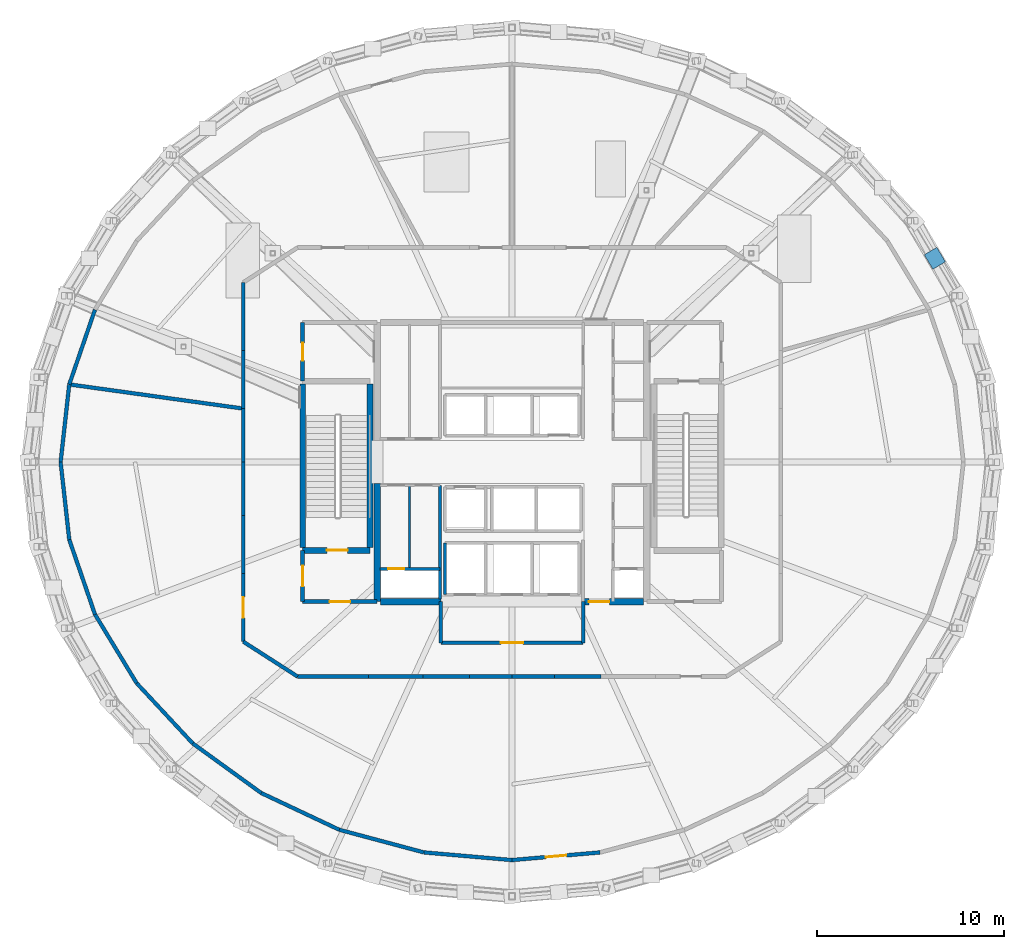
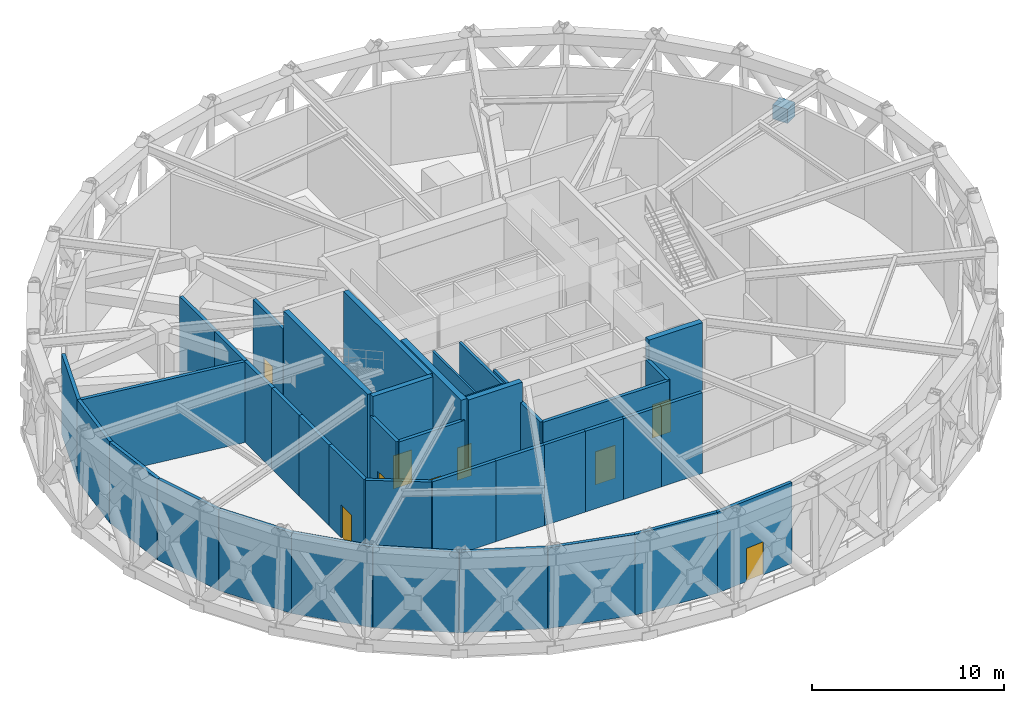
# One storey, part 8 of 15: 41 walls, 9 doors, 1 plate, 9 openings.
"""IFC4 building model written with IfcOpenShell, lengths in metres."""

from ifc_helpers import new_model, si_unit, direction, frame, frame_2d, origin, origin_2d, place, context, subcontext, project, spatial, rectangle, extrude, material, layer, layer_set, type_object, element, fill, save


model = new_model("IFC4")

# Units and contexts
model_context = context("Model", 3, precision=1e-05, world=origin(), true_north=direction((0.0, 1.0)))
body_context = subcontext(model_context, "Body", "Model", "MODEL_VIEW")
ifc_project = project(units=[si_unit("LENGTHUNIT", "METRE"), si_unit("AREAUNIT", "SQUARE_METRE"), si_unit("VOLUMEUNIT", "CUBIC_METRE"), si_unit("PLANEANGLEUNIT", "RADIAN"), si_unit("MASSUNIT", "GRAM", prefix="KILO")], contexts=[model_context])

# Site, building, storey
site_placement = place(None, origin())
site = spatial("IfcSite", under=ifc_project, at=site_placement, CompositionType="ELEMENT")
building_placement = place(site_placement, origin())
building = spatial("IfcBuilding", under=site, at=building_placement, Name="Veldorina Hangang Commons", CompositionType="ELEMENT")
storey_placement = place(building_placement, frame((0.0, 0.0, 208.39990234375)))
storey = spatial("IfcBuildingStorey", under=building, at=storey_placement, Name="L54", CompositionType="ELEMENT", Elevation=208.39990234375)

# Plate
ifc_material_1 = material(Name="Steel SM460-TMC", Category="steel")
ifc_layer_1 = layer(ifc_material_1, 0.035888671875)
ifc_layer_set_1 = layer_set([ifc_layer_1], Name="Steel SM460-TMC")
plate_type = type_object("IfcPlateType", Name="PL-STAR-36", PredefinedType="USERDEFINED", material=ifc_layer_set_1)
plate_placement = place(storey_placement, frame((54.577392578125, 34.879150390625, 2.7548828125), z_axis=(0.0, 0.0, 1.0), x_axis=(-0.511817972151, 0.859093920002, 0.0)))
element("IfcPlate", 1, at=plate_placement, inside=storey, type_object=plate_type, Name="L54 diagrid X-crossing star-node gusset plate 02", ObjectType="GUSSET PLATE", PredefinedType="USERDEFINED", context=body_context, shape_type="SweptSolid", body=[
    extrude(rectangle(XDim=0.89990234375, YDim=0.780029296875, at=origin_2d()), origin(), (0.0, 0.0, 1.0), 0.89990234375),
])

# Walls
ifc_material_2 = material(Name="Concrete C60/75", Category="concrete")
ifc_layer_2 = layer(ifc_material_2, 0.340087890625)
ifc_layer_set_2 = layer_set([ifc_layer_2], Name="Concrete C60/75")
wall_type_1 = type_object("IfcWallType", Name="CW-RC340-C60", PredefinedType="SHEAR", material=ifc_layer_set_2)
wall_1_placement = place(storey_placement, frame((24.800048828125, 16.550048828125, 0.0), z_axis=(0.0, 0.0, 1.0), x_axis=(0.0, 1.0, 0.0)))
element("IfcWall", 2, at=wall_1_placement, inside=storey, type_object=wall_type_1, Name="L54 W south core shear wall", PredefinedType="SHEAR", context=body_context, shape_type="SweptSolid", body=[
    extrude(rectangle(XDim=6.300048828125, YDim=0.340087890625, at=frame_2d((3.14990234375, 0.0))), origin(), (0.0, 0.0, 1.0), 6.400146484375),
])
wall_2_placement = place(storey_placement, frame((24.969970703125, 16.550048828125, 0.0), z_axis=(0.0, 0.0, 1.0), x_axis=(1.0, 0.0, 0.0)))
element("IfcWall", 3, at=wall_2_placement, inside=storey, type_object=wall_type_1, Name="L54 south-west core shear wall", PredefinedType="SHEAR", context=body_context, shape_type="SweptSolid", body=[
    extrude(rectangle(XDim=3.22998046875, YDim=0.340087890625, at=frame_2d((1.614990234375, 0.0))), origin(), (0.0, 0.0, 1.0), 6.400146484375),
])

# Wall, opening, door
wall_3_placement = place(storey_placement, frame((35.800048828125, 16.550048828125, 0.0), z_axis=(0.0, 0.0, 1.0), x_axis=(1.0, 0.0, 0.0)))
wall_3 = element("IfcWall", 4, at=wall_3_placement, inside=storey, type_object=wall_type_1, Name="L54 south-east core shear wall", PredefinedType="SHEAR", context=body_context, shape_type="SweptSolid", body=[
    extrude(rectangle(XDim=3.22998046875, YDim=0.340087890625, at=frame_2d((1.614990234375, 0.0))), origin(), (0.0, 0.0, 1.0), 6.400146484375),
])
opening_1_placement = place(wall_3_placement, frame((0.300048828125, 0.0, 0.0)))
opening_1 = element("IfcOpeningElement", 5, at=opening_1_placement, cuts=wall_3, Name="Opening D-08", PredefinedType="OPENING", context=body_context, shape_type="SweptSolid", body=[
    extrude(rectangle(XDim=1.10009765625, YDim=2.10009765625, at=frame_2d((0.550048828125, 1.050048828125))), frame((0.0, 0.18017578125, 0.0), z_axis=(0.0, -1.0, 0.0), x_axis=(1.0, 0.0, 0.0)), (0.0, 0.0, 1.0), 0.360107421875),
])
ifc_material_3 = material(Name="Steel Fire-Rated Smoke Seal", Category="steel")
door_type_1 = type_object("IfcDoorType", Name="DR-FIRE-1100", OperationType="SINGLE_SWING_RIGHT", PredefinedType="DOOR", material=ifc_material_3)
door_1_placement = place(opening_1_placement, origin())
door_1 = element("IfcDoor", 6, at=door_1_placement, inside=storey, type_object=door_type_1, Name="L54 central lift lobby south corridor door", OperationType="SINGLE_SWING_RIGHT", OverallHeight=2.10009765625, OverallWidth=1.10009765625, PredefinedType="DOOR", context=body_context, shape_type="SweptSolid", body=[
    extrude(rectangle(XDim=1.10009765625, YDim=2.10009765625, at=frame_2d((0.550048828125, 1.050048828125))), frame((0.0, 0.02490234375, 0.0), z_axis=(0.0, -1.0, 0.0), x_axis=(1.0, 0.0, 0.0)), (0.0, 0.0, 1.0), 0.050048828125),
])
fill(opening_1, door_1)

# Walls
ifc_material_4 = material(Name="Concrete C50/60", Category="concrete")
ifc_layer_3 = layer(ifc_material_4, 0.300048828125)
ifc_layer_set_3 = layer_set([ifc_layer_3], Name="Concrete C50/60")
wall_type_2 = type_object("IfcWallType", Name="SW-STAIR-300", PredefinedType="SHEAR", material=ifc_layer_set_3)
for number, where, z_axis, x_axis, name in (
    (7, (20.820068359375, 19.429931640625, 0.0), (0.0, 0.0, 1.0), (0.0, 1.0, 0.0), "L54 ST1 outer stair shear wall"),
    (8, (24.419921875, 19.429931640625, 0.0), (0.0, 0.0, 1.0), (0.0, 1.0, 0.0), "L54 ST1 inner stair shear wall"),
):
    element("IfcWall", number, at=place(storey_placement, frame(where, z_axis=z_axis, x_axis=x_axis)), inside=storey, type_object=wall_type_2, Name=name, PredefinedType="SHEAR", context=body_context, shape_type="SweptSolid", body=[
        extrude(rectangle(XDim=8.739990234375, YDim=0.300048828125, at=frame_2d((4.3701171875, 0.0))), origin(), (0.0, 0.0, 1.0), 6.400146484375),
    ])

# Wall, opening, door
wall_4_placement = place(storey_placement, frame((20.820068359375, 19.280029296875, 0.0), z_axis=(0.0, 0.0, 1.0), x_axis=(1.0, 0.0, 0.0)))
wall_4 = element("IfcWall", 9, at=wall_4_placement, inside=storey, type_object=wall_type_2, Name="L54 ST1 south stair shear wall", PredefinedType="SHEAR", context=body_context, shape_type="SweptSolid", body=[
    extrude(rectangle(XDim=3.599853515625, YDim=0.300048828125, at=frame_2d((1.7998046875, 0.0))), origin(), (0.0, 0.0, 1.0), 6.400146484375),
])
opening_2_placement = place(wall_4_placement, frame((1.300048828125, 0.0, 0.0)))
opening_2 = element("IfcOpeningElement", 10, at=opening_2_placement, cuts=wall_4, Name="Opening D-08", PredefinedType="OPENING", context=body_context, shape_type="SweptSolid", body=[
    extrude(rectangle(XDim=1.10009765625, YDim=2.10009765625, at=frame_2d((0.550048828125, 1.050048828125))), frame((0.0, 0.16015625, 0.0), z_axis=(0.0, -1.0, 0.0), x_axis=(1.0, 0.0, 0.0)), (0.0, 0.0, 1.0), 0.320068359375),
])
door_2_placement = place(opening_2_placement, origin())
door_2 = element("IfcDoor", 11, at=door_2_placement, inside=storey, type_object=door_type_1, Name="L54 Special Escape Stair ST-1 door", OperationType="SINGLE_SWING_LEFT", OverallHeight=2.10009765625, OverallWidth=1.10009765625, PredefinedType="DOOR", context=body_context, shape_type="SweptSolid", body=[
    extrude(rectangle(XDim=1.10009765625, YDim=2.10009765625, at=frame_2d((0.550048828125, 1.050048828125))), frame((0.0, 0.02490234375, 0.0), z_axis=(0.0, -1.0, 0.0), x_axis=(1.0, 0.0, 0.0)), (0.0, 0.0, 1.0), 0.050048828125),
])
fill(opening_2, door_2)

# Wall
ifc_material_5 = material(Name="Gypsum Fire-Rated Twin Stud Wall", Category="gypsum")
ifc_layer_4 = layer(ifc_material_5, 0.159912109375)
ifc_layer_set_4 = layer_set([ifc_layer_4], Name="Gypsum Fire-Rated Twin Stud Wall")
wall_type_3 = type_object("IfcWallType", Name="WL-FIRE-160", PredefinedType="SOLIDWALL", material=ifc_layer_set_4)
wall_5_placement = place(storey_placement, frame((28.419921875, 16.919921875, 0.0), z_axis=(0.0, 0.0, 1.0), x_axis=(0.0, 1.0, 0.0)))
element("IfcWall", 12, at=wall_5_placement, inside=storey, type_object=wall_type_3, Name="L54 FFL-1 west shaft wall 030", PredefinedType="SOLIDWALL", context=body_context, shape_type="SweptSolid", body=[
    extrude(rectangle(XDim=2.760009765625, YDim=0.159912109375, at=frame_2d((1.3798828125, 0.0))), origin(), (0.0, 0.0, 1.0), 5.130126953125),
])

# Wall, opening, door
wall_6_placement = place(storey_placement, frame((24.949951171875, 18.300048828125, 0.0), z_axis=(0.0, 0.0, 1.0), x_axis=(1.0, 0.0, 0.0)))
wall_6 = element("IfcWall", 13, at=wall_6_placement, inside=storey, type_object=wall_type_3, Name="L54 Electrical riser wall 037", PredefinedType="SOLIDWALL", context=body_context, shape_type="SweptSolid", body=[
    extrude(rectangle(XDim=3.199951171875, YDim=0.159912109375, at=frame_2d((1.60009765625, 0.0))), origin(), (0.0, 0.0, 1.0), 5.130126953125),
])
opening_3_placement = place(wall_6_placement, frame((0.43994140625, 0.0, 0.0)))
opening_3 = element("IfcOpeningElement", 14, at=opening_3_placement, cuts=wall_6, Name="Opening D-12", PredefinedType="OPENING", context=body_context, shape_type="SweptSolid", body=[
    extrude(rectangle(XDim=0.860107421875, YDim=2.050048828125, at=frame_2d((0.43017578125, 1.02490234375))), frame((0.0, 0.08984375, 0.0), z_axis=(0.0, -1.0, 0.0), x_axis=(1.0, 0.0, 0.0)), (0.0, 0.0, 1.0), 0.179931640625),
])
ifc_material_6 = material(Name="Steel Insulated Riser Access", Category="steel")
door_type_2 = type_object("IfcDoorType", Name="DR-TRAP-860", OperationType="SINGLE_SWING_LEFT", PredefinedType="TRAPDOOR", material=ifc_material_6)
door_3_placement = place(opening_3_placement, origin())
door_3 = element("IfcDoor", 15, at=door_3_placement, inside=storey, type_object=door_type_2, Name="L54 Electrical riser access door 013", OperationType="SINGLE_SWING_LEFT", OverallHeight=2.050048828125, OverallWidth=0.860107421875, PredefinedType="TRAPDOOR", context=body_context, shape_type="SweptSolid", body=[
    extrude(rectangle(XDim=0.860107421875, YDim=2.050048828125, at=frame_2d((0.43017578125, 1.02490234375))), frame((0.0, 0.02490234375, 0.0), z_axis=(0.0, -1.0, 0.0), x_axis=(1.0, 0.0, 0.0)), (0.0, 0.0, 1.0), 0.050048828125),
])
fill(opening_3, door_3)

# Wall
wall_7_placement = place(storey_placement, frame((28.14990234375, 16.699951171875, 0.0), z_axis=(0.0, 0.0, 1.0), x_axis=(0.0, 1.0, 0.0)))
element("IfcWall", 16, at=wall_7_placement, inside=storey, type_object=wall_type_3, Name="L54 SW core inner wall 038", PredefinedType="SOLIDWALL", context=body_context, shape_type="SweptSolid", body=[
    extrude(rectangle(XDim=6.050048828125, YDim=0.159912109375, at=frame_2d((3.02490234375, 0.0))), origin(), (0.0, 0.0, 1.0), 5.130126953125),
])

# Wall, opening, door
ifc_material_7 = material(Name="Concrete Blockwork Fire Wall C30/37", Category="masonry")
ifc_layer_5 = layer(ifc_material_7, 0.199951171875)
ifc_layer_set_5 = layer_set([ifc_layer_5], Name="Concrete Blockwork Fire Wall C30/37")
wall_type_4 = type_object("IfcWallType", Name="WL-FIRE-200", PredefinedType="SOLIDWALL", material=ifc_layer_set_5)
wall_8_placement = place(storey_placement, frame((20.820068359375, 16.550048828125, 0.0), z_axis=(0.0, 0.0, 1.0), x_axis=(0.0, 1.0, 0.0)))
wall_8 = element("IfcWall", 17, at=wall_8_placement, inside=storey, type_object=wall_type_4, Name="L54 West vestibule outer wall 001", PredefinedType="SOLIDWALL", context=body_context, shape_type="SweptSolid", body=[
    extrude(rectangle(XDim=2.72998046875, YDim=0.199951171875, at=frame_2d((1.364990234375, 0.0))), origin(), (0.0, 0.0, 1.0), 5.130126953125),
])
opening_4_placement = place(wall_8_placement, frame((0.81494140625, 0.0, 0.0)))
opening_4 = element("IfcOpeningElement", 18, at=opening_4_placement, cuts=wall_8, Name="Opening D-08", PredefinedType="OPENING", context=body_context, shape_type="SweptSolid", body=[
    extrude(rectangle(XDim=1.10009765625, YDim=2.10009765625, at=frame_2d((0.550048828125, 1.050048828125))), frame((0.0, 0.10986328125, 0.0), z_axis=(0.0, -1.0, 0.0), x_axis=(1.0, 0.0, 0.0)), (0.0, 0.0, 1.0), 0.219970703125),
])
door_4_placement = place(opening_4_placement, origin())
door_4 = element("IfcDoor", 19, at=door_4_placement, inside=storey, type_object=door_type_1, Name="L54 West vestibule west door 001", OperationType="SINGLE_SWING_LEFT", OverallHeight=2.10009765625, OverallWidth=1.10009765625, PredefinedType="DOOR", context=body_context, shape_type="SweptSolid", body=[
    extrude(rectangle(XDim=1.10009765625, YDim=2.10009765625, at=frame_2d((0.550048828125, 1.050048828125))), frame((0.0, 0.02490234375, 0.0), z_axis=(0.0, -1.0, 0.0), x_axis=(1.0, 0.0, 0.0)), (0.0, 0.0, 1.0), 0.050048828125),
])
fill(opening_4, door_4)

wall_9_placement = place(storey_placement, frame((20.820068359375, 16.550048828125, 0.0), z_axis=(0.0, 0.0, 1.0), x_axis=(1.0, 0.0, 0.0)))
wall_9 = element("IfcWall", 20, at=wall_9_placement, inside=storey, type_object=wall_type_4, Name="L54 West vestibule south wall 002", PredefinedType="SOLIDWALL", context=body_context, shape_type="SweptSolid", body=[
    extrude(rectangle(XDim=3.97998046875, YDim=0.199951171875, at=frame_2d((1.989990234375, 0.0))), origin(), (0.0, 0.0, 1.0), 5.130126953125),
])
opening_5_placement = place(wall_9_placement, frame((1.43994140625, 0.0, 0.0)))
opening_5 = element("IfcOpeningElement", 21, at=opening_5_placement, cuts=wall_9, Name="Opening D-08", PredefinedType="OPENING", context=body_context, shape_type="SweptSolid", body=[
    extrude(rectangle(XDim=1.10009765625, YDim=2.10009765625, at=frame_2d((0.550048828125, 1.050048828125))), frame((0.0, 0.10986328125, 0.0), z_axis=(0.0, -1.0, 0.0), x_axis=(1.0, 0.0, 0.0)), (0.0, 0.0, 1.0), 0.219970703125),
])
door_5_placement = place(opening_5_placement, origin())
door_5 = element("IfcDoor", 22, at=door_5_placement, inside=storey, type_object=door_type_1, Name="L54 West vestibule refuge door 002", OperationType="SINGLE_SWING_RIGHT", OverallHeight=2.10009765625, OverallWidth=1.10009765625, PredefinedType="DOOR", context=body_context, shape_type="SweptSolid", body=[
    extrude(rectangle(XDim=1.10009765625, YDim=2.10009765625, at=frame_2d((0.550048828125, 1.050048828125))), frame((0.0, 0.02490234375, 0.0), z_axis=(0.0, -1.0, 0.0), x_axis=(1.0, 0.0, 0.0)), (0.0, 0.0, 1.0), 0.050048828125),
])
fill(opening_5, door_5)

wall_10_placement = place(storey_placement, frame((20.820068359375, 28.320068359375, 0.0), z_axis=(0.0, 0.0, 1.0), x_axis=(0.0, 1.0, 0.0)))
wall_10 = element("IfcWall", 23, at=wall_10_placement, inside=storey, type_object=wall_type_4, Name="L54 NW core room outer wall 005", PredefinedType="SOLIDWALL", context=body_context, shape_type="SweptSolid", body=[
    extrude(rectangle(XDim=3.1298828125, YDim=0.199951171875, at=frame_2d((1.56494140625, 0.0))), origin(), (0.0, 0.0, 1.0), 5.130126953125),
])
opening_6_placement = place(wall_10_placement, frame((1.090087890625, 0.0, 0.0)))
opening_6 = element("IfcOpeningElement", 24, at=opening_6_placement, cuts=wall_10, Name="Opening D-04", PredefinedType="OPENING", context=body_context, shape_type="SweptSolid", body=[
    extrude(rectangle(XDim=0.949951171875, YDim=2.10009765625, at=frame_2d((0.47509765625, 1.050048828125))), frame((0.0, 0.10986328125, 0.0), z_axis=(0.0, -1.0, 0.0), x_axis=(1.0, 0.0, 0.0)), (0.0, 0.0, 1.0), 0.219970703125),
])
ifc_material_8 = material(Name="Timber Accessible Flush Leaf", Category="wood")
door_type_3 = type_object("IfcDoorType", Name="DR-ACC-950", OperationType="SINGLE_SWING_LEFT", PredefinedType="DOOR", material=ifc_material_8)
door_6_placement = place(opening_6_placement, origin())
door_6 = element("IfcDoor", 25, at=door_6_placement, inside=storey, type_object=door_type_3, Name="L54 NW core WC door 004", OperationType="SINGLE_SWING_RIGHT", OverallHeight=2.10009765625, OverallWidth=0.949951171875, PredefinedType="DOOR", context=body_context, shape_type="SweptSolid", body=[
    extrude(rectangle(XDim=0.949951171875, YDim=2.10009765625, at=frame_2d((0.47509765625, 1.050048828125))), frame((0.0, 0.02490234375, 0.0), z_axis=(0.0, -1.0, 0.0), x_axis=(1.0, 0.0, 0.0)), (0.0, 0.0, 1.0), 0.050048828125),
])
fill(opening_6, door_6)

# Walls
for number, where, z_axis, x_axis, name in (
    (26, (28.199951171875, 14.35009765625, 0.0), (0.0, 0.0, 1.0), (0.0, 1.0, 0.0), "L54 FF lobby west wall 012"),
    (27, (35.800048828125, 14.35009765625, 0.0), (0.0, 0.0, 1.0), (0.0, 1.0, 0.0), "L54 FF lobby east wall 013"),
):
    element("IfcWall", number, at=place(storey_placement, frame(where, z_axis=z_axis, x_axis=x_axis)), inside=storey, type_object=wall_type_4, Name=name, PredefinedType="SOLIDWALL", context=body_context, shape_type="SweptSolid", body=[
        extrude(rectangle(XDim=2.199951171875, YDim=0.199951171875, at=frame_2d((1.10009765625, 0.0))), origin(), (0.0, 0.0, 1.0), 5.130126953125),
    ])

# Wall, opening, door
wall_11_placement = place(storey_placement, frame((28.199951171875, 14.35009765625, 0.0), z_axis=(0.0, 0.0, 1.0), x_axis=(1.0, 0.0, 0.0)))
wall_11 = element("IfcWall", 28, at=wall_11_placement, inside=storey, type_object=wall_type_4, Name="L54 FF lobby south wall 014", PredefinedType="SOLIDWALL", context=body_context, shape_type="SweptSolid", body=[
    extrude(rectangle(XDim=7.60009765625, YDim=0.199951171875, at=frame_2d((3.800048828125, 0.0))), origin(), (0.0, 0.0, 1.0), 5.130126953125),
])
opening_7_placement = place(wall_11_placement, frame((3.199951171875, 0.0, 0.0)))
opening_7 = element("IfcOpeningElement", 29, at=opening_7_placement, cuts=wall_11, Name="Opening D-09", PredefinedType="OPENING", context=body_context, shape_type="SweptSolid", body=[
    extrude(rectangle(XDim=1.199951171875, YDim=2.10009765625, at=frame_2d((0.60009765625, 1.050048828125))), frame((0.0, 0.10986328125, 0.0), z_axis=(0.0, -1.0, 0.0), x_axis=(1.0, 0.0, 0.0)), (0.0, 0.0, 1.0), 0.219970703125),
])
ifc_material_9 = material(Name="Steel Fire-Rated Corridor Door", Category="steel")
door_type_4 = type_object("IfcDoorType", Name="DR-FIRE-1200", OperationType="SINGLE_SWING_LEFT", PredefinedType="DOOR", material=ifc_material_9)
door_7_placement = place(opening_7_placement, origin())
door_7 = element("IfcDoor", 30, at=door_7_placement, inside=storey, type_object=door_type_4, Name="L54 FF lobby south corridor door 006", OperationType="SINGLE_SWING_RIGHT", OverallHeight=2.10009765625, OverallWidth=1.199951171875, PredefinedType="DOOR", context=body_context, shape_type="SweptSolid", body=[
    extrude(rectangle(XDim=1.199951171875, YDim=2.10009765625, at=frame_2d((0.60009765625, 1.050048828125))), frame((0.0, 0.02490234375, 0.0), z_axis=(0.0, -1.0, 0.0), x_axis=(1.0, 0.0, 0.0)), (0.0, 0.0, 1.0), 0.050048828125),
])
fill(opening_7, door_7)

# Walls
wall_12_placement = place(storey_placement, frame((9.734619140625, 32.132080078125, 0.0), z_axis=(0.0, 0.0, 1.0), x_axis=(-0.325351665006, -0.945593091175, 0.0)))
element("IfcWall", 31, at=wall_12_placement, inside=storey, type_object=wall_type_4, Name="L54 L54 wind-floor compartment wall 14 066", PredefinedType="SOLIDWALL", context=body_context, shape_type="SweptSolid", body=[
    extrude(rectangle(XDim=4.215576171875, YDim=0.199951171875, at=frame_2d((2.10791015625, 0.0))), origin(), (0.0, 0.0, 1.0), 5.130126953125),
])
for number, where, z_axis, x_axis, name in (
    (32, (8.363037109375, 28.145751953125, 0.0), (0.0, 0.0, 1.0), (-0.111022469206, -0.993817896464, 0.0), "L54 L54 wind-floor compartment wall 15 067"),
    (33, (7.89990234375, 24.0, 0.0), (0.0, 0.0, 1.0), (0.111022469206, -0.993817896464, 0.0), "L54 L54 wind-floor compartment wall 16 068"),
):
    element("IfcWall", number, at=place(storey_placement, frame(where, z_axis=z_axis, x_axis=x_axis)), inside=storey, type_object=wall_type_4, Name=name, PredefinedType="SOLIDWALL", context=body_context, shape_type="SweptSolid", body=[
        extrude(rectangle(XDim=4.171630859375, YDim=0.199951171875, at=frame_2d((2.0859375, 0.0))), origin(), (0.0, 0.0, 1.0), 5.130126953125),
    ])
wall_13_placement = place(storey_placement, frame((8.363037109375, 19.854248046875, 0.0), z_axis=(0.0, 0.0, 1.0), x_axis=(0.325351665006, -0.945593091175, 0.0)))
element("IfcWall", 34, at=wall_13_placement, inside=storey, type_object=wall_type_4, Name="L54 L54 wind-floor compartment wall 17 069", PredefinedType="SOLIDWALL", context=body_context, shape_type="SweptSolid", body=[
    extrude(rectangle(XDim=4.215576171875, YDim=0.199951171875, at=frame_2d((2.10791015625, 0.0))), origin(), (0.0, 0.0, 1.0), 5.130126953125),
])
wall_14_placement = place(storey_placement, frame((9.734619140625, 15.867919921875, 0.0), z_axis=(0.0, 0.0, 1.0), x_axis=(0.518384837447, -0.855147449452, 0.0)))
element("IfcWall", 35, at=wall_14_placement, inside=storey, type_object=wall_type_4, Name="L54 L54 wind-floor compartment wall 18 070", PredefinedType="SOLIDWALL", context=body_context, shape_type="SweptSolid", body=[
    extrude(rectangle(XDim=4.296142578125, YDim=0.199951171875, at=frame_2d((2.14794921875, 0.0))), origin(), (0.0, 0.0, 1.0), 5.130126953125),
])
wall_15_placement = place(storey_placement, frame((11.961669921875, 12.194091796875, 0.0), z_axis=(0.0, 0.0, 1.0), x_axis=(0.681317030747, -0.731988458661, 0.0)))
element("IfcWall", 36, at=wall_15_placement, inside=storey, type_object=wall_type_4, Name="L54 L54 wind-floor compartment wall 19 071", PredefinedType="SOLIDWALL", context=body_context, shape_type="SweptSolid", body=[
    extrude(rectangle(XDim=4.39892578125, YDim=0.199951171875, at=frame_2d((2.199462890625, 0.0))), origin(), (0.0, 0.0, 1.0), 5.130126953125),
])
wall_16_placement = place(storey_placement, frame((14.958740234375, 8.97412109375, 0.0), z_axis=(0.0, 0.0, 1.0), x_axis=(0.810131923704, -0.586247615088, 0.0)))
element("IfcWall", 37, at=wall_16_placement, inside=storey, type_object=wall_type_4, Name="L54 L54 wind-floor compartment wall 20 072", PredefinedType="SOLIDWALL", context=body_context, shape_type="SweptSolid", body=[
    extrude(rectangle(XDim=4.508056640625, YDim=0.199951171875, at=frame_2d((2.25390625, 0.0))), origin(), (0.0, 0.0, 1.0), 5.130126953125),
])
wall_17_placement = place(storey_placement, frame((18.61083984375, 6.331298828125, 0.0), z_axis=(0.0, 0.0, 1.0), x_axis=(0.904574703116, -0.426315149253, 0.0)))
element("IfcWall", 38, at=wall_17_placement, inside=storey, type_object=wall_type_4, Name="L54 L54 wind-floor compartment wall 21 073", PredefinedType="SOLIDWALL", context=body_context, shape_type="SweptSolid", body=[
    extrude(rectangle(XDim=4.60595703125, YDim=0.199951171875, at=frame_2d((2.302978515625, 0.0))), origin(), (0.0, 0.0, 1.0), 5.130126953125),
])
wall_18_placement = place(storey_placement, frame((22.77734375, 4.36767578125, 0.0), z_axis=(0.0, 0.0, 1.0), x_axis=(0.9660285601, -0.258435332473, 0.0)))
element("IfcWall", 39, at=wall_18_placement, inside=storey, type_object=wall_type_4, Name="L54 L54 wind-floor compartment wall 22 074", PredefinedType="SOLIDWALL", context=body_context, shape_type="SweptSolid", body=[
    extrude(rectangle(XDim=4.679931640625, YDim=0.199951171875, at=frame_2d((2.33984375, 0.0))), origin(), (0.0, 0.0, 1.0), 5.130126953125),
])
wall_19_placement = place(storey_placement, frame((27.29833984375, 3.158203125, 0.0), z_axis=(0.0, 0.0, 1.0), x_axis=(0.996252226141, -0.086495675673, 0.0)))
element("IfcWall", 40, at=wall_19_placement, inside=storey, type_object=wall_type_4, Name="L54 L54 wind-floor compartment wall 23 075", PredefinedType="SOLIDWALL", context=body_context, shape_type="SweptSolid", body=[
    extrude(rectangle(XDim=4.71923828125, YDim=0.199951171875, at=frame_2d((2.359619140625, 0.0))), origin(), (0.0, 0.0, 1.0), 5.130126953125),
])

# Wall, opening, door
wall_20_placement = place(storey_placement, frame((32.0, 2.75, 0.0), z_axis=(0.0, 0.0, 1.0), x_axis=(0.996252226141, 0.086495675673, 0.0)))
wall_20 = element("IfcWall", 41, at=wall_20_placement, inside=storey, type_object=wall_type_4, Name="L54 L54 wind-floor compartment wall 24 076", PredefinedType="SOLIDWALL", context=body_context, shape_type="SweptSolid", body=[
    extrude(rectangle(XDim=4.71923828125, YDim=0.199951171875, at=frame_2d((2.359619140625, 0.0))), origin(), (0.0, 0.0, 1.0), 5.130126953125),
])
opening_8_placement = place(wall_20_placement, frame((1.809814453125, 0.0, 0.0)))
opening_8 = element("IfcOpeningElement", 42, at=opening_8_placement, cuts=wall_20, Name="Opening D-08", PredefinedType="OPENING", context=body_context, shape_type="SweptSolid", body=[
    extrude(rectangle(XDim=1.10009765625, YDim=2.10009765625, at=frame_2d((0.550048828125, 1.050048828125))), frame((0.0, 0.10986328125, 0.0), z_axis=(0.0, -1.0, 0.0), x_axis=(1.0, 0.0, 0.0)), (0.0, 0.0, 1.0), 0.219970703125),
])
door_8_placement = place(opening_8_placement, origin())
door_8 = element("IfcDoor", 43, at=door_8_placement, inside=storey, type_object=door_type_1, Name="L54 L54 wind gallery south door 024", OperationType="SINGLE_SWING_RIGHT", OverallHeight=2.10009765625, OverallWidth=1.10009765625, PredefinedType="DOOR", context=body_context, shape_type="SweptSolid", body=[
    extrude(rectangle(XDim=1.10009765625, YDim=2.10009765625, at=frame_2d((0.550048828125, 1.050048828125))), frame((0.0, 0.02490234375, 0.0), z_axis=(0.0, -1.0, 0.0), x_axis=(1.0, 0.0, 0.0)), (0.0, 0.0, 1.0), 0.050048828125),
])
fill(opening_8, door_8)

# Walls
wall_21_placement = place(storey_placement, frame((17.64990234375, 33.58837890625, 0.0), z_axis=(0.0, 0.0, 1.0), x_axis=(0.0, -1.0, 0.0)))
element("IfcWall", 44, at=wall_21_placement, inside=storey, type_object=wall_type_4, Name="L54 Plant corridor wall 13 097", PredefinedType="SOLIDWALL", context=body_context, shape_type="SweptSolid", body=[
    extrude(rectangle(XDim=3.644287109375, YDim=0.199951171875, at=frame_2d((1.822265625, 0.0))), origin(), (0.0, 0.0, 1.0), 5.130126953125),
])
wall_22_placement = place(storey_placement, frame((17.64990234375, 29.944091796875, 0.0), z_axis=(0.0, 0.0, 1.0), x_axis=(0.0, -1.0, 0.0)))
element("IfcWall", 45, at=wall_22_placement, inside=storey, type_object=wall_type_4, Name="L54 Plant corridor wall 14 098", PredefinedType="SOLIDWALL", context=body_context, shape_type="SweptSolid", body=[
    extrude(rectangle(XDim=3.089599609375, YDim=0.199951171875, at=frame_2d((1.544921875, 0.0))), origin(), (0.0, 0.0, 1.0), 5.130126953125),
])
for number, where, z_axis, x_axis, name in (
    (46, (17.64990234375, 26.8544921875, 0.0), (0.0, 0.0, 1.0), (0.0, -1.0, 0.0), "L54 Plant corridor wall 15 099"),
    (47, (17.64990234375, 24.0, 0.0), (0.0, 0.0, 1.0), (0.0, -1.0, 0.0), "L54 Plant corridor wall 16 100"),
):
    element("IfcWall", number, at=place(storey_placement, frame(where, z_axis=z_axis, x_axis=x_axis)), inside=storey, type_object=wall_type_4, Name=name, PredefinedType="SOLIDWALL", context=body_context, shape_type="SweptSolid", body=[
        extrude(rectangle(XDim=2.8544921875, YDim=0.199951171875, at=frame_2d((1.42724609375, 0.0))), origin(), (0.0, 0.0, 1.0), 5.130126953125),
    ])
wall_23_placement = place(storey_placement, frame((17.64990234375, 21.1455078125, 0.0), z_axis=(0.0, 0.0, 1.0), x_axis=(0.0, -1.0, 0.0)))
element("IfcWall", 48, at=wall_23_placement, inside=storey, type_object=wall_type_4, Name="L54 Plant corridor wall 17 101", PredefinedType="SOLIDWALL", context=body_context, shape_type="SweptSolid", body=[
    extrude(rectangle(XDim=3.089599609375, YDim=0.199951171875, at=frame_2d((1.544921875, 0.0))), origin(), (0.0, 0.0, 1.0), 5.130126953125),
])

# Wall, opening, door
wall_24_placement = place(storey_placement, frame((17.64990234375, 18.055908203125, 0.0), z_axis=(0.0, 0.0, 1.0), x_axis=(0.0, -1.0, 0.0)))
wall_24 = element("IfcWall", 49, at=wall_24_placement, inside=storey, type_object=wall_type_4, Name="L54 Plant corridor wall 18 102", PredefinedType="SOLIDWALL", context=body_context, shape_type="SweptSolid", body=[
    extrude(rectangle(XDim=3.644287109375, YDim=0.199951171875, at=frame_2d((1.822265625, 0.0))), origin(), (0.0, 0.0, 1.0), 5.130126953125),
])
opening_9_placement = place(wall_24_placement, frame((1.272216796875, 0.0, 0.0)))
opening_9 = element("IfcOpeningElement", 50, at=opening_9_placement, cuts=wall_24, Name="Opening D-08", PredefinedType="OPENING", context=body_context, shape_type="SweptSolid", body=[
    extrude(rectangle(XDim=1.10009765625, YDim=2.10009765625, at=frame_2d((0.550048828125, 1.050048828125))), frame((0.0, 0.10986328125, 0.0), z_axis=(0.0, -1.0, 0.0), x_axis=(1.0, 0.0, 0.0)), (0.0, 0.0, 1.0), 0.219970703125),
])
door_9_placement = place(opening_9_placement, origin())
door_9 = element("IfcDoor", 51, at=door_9_placement, inside=storey, type_object=door_type_1, Name="L54 Refuge west corridor door 026", OperationType="SINGLE_SWING_RIGHT", OverallHeight=2.10009765625, OverallWidth=1.10009765625, PredefinedType="DOOR", context=body_context, shape_type="SweptSolid", body=[
    extrude(rectangle(XDim=1.10009765625, YDim=2.10009765625, at=frame_2d((0.550048828125, 1.050048828125))), frame((0.0, 0.02490234375, 0.0), z_axis=(0.0, -1.0, 0.0), x_axis=(1.0, 0.0, 0.0)), (0.0, 0.0, 1.0), 0.050048828125),
])
fill(opening_9, door_9)

# Walls
wall_25_placement = place(storey_placement, frame((17.64990234375, 14.41162109375, 0.0), z_axis=(0.0, 0.0, 1.0), x_axis=(0.841548863049, -0.540180998464, 0.0)))
element("IfcWall", 52, at=wall_25_placement, inside=storey, type_object=wall_type_4, Name="L54 Plant corridor wall 19 103", PredefinedType="SOLIDWALL", context=body_context, shape_type="SweptSolid", body=[
    extrude(rectangle(XDim=3.4462890625, YDim=0.199951171875, at=frame_2d((1.72314453125, 0.0))), origin(), (0.0, 0.0, 1.0), 5.130126953125),
])
wall_26_placement = place(storey_placement, frame((20.550048828125, 12.550048828125, 0.0), z_axis=(0.0, 0.0, 1.0), x_axis=(1.0, 0.0, 0.0)))
element("IfcWall", 53, at=wall_26_placement, inside=storey, type_object=wall_type_4, Name="L54 Plant corridor wall 20 104", PredefinedType="SOLIDWALL", context=body_context, shape_type="SweptSolid", body=[
    extrude(rectangle(XDim=3.79931640625, YDim=0.199951171875, at=frame_2d((1.899658203125, 0.0))), origin(), (0.0, 0.0, 1.0), 5.130126953125),
])
wall_27_placement = place(storey_placement, frame((24.349365234375, 12.550048828125, 0.0), z_axis=(0.0, 0.0, 1.0), x_axis=(1.0, 0.0, 0.0)))
element("IfcWall", 54, at=wall_27_placement, inside=storey, type_object=wall_type_4, Name="L54 Plant corridor wall 21 105", PredefinedType="SOLIDWALL", context=body_context, shape_type="SweptSolid", body=[
    extrude(rectangle(XDim=2.907958984375, YDim=0.199951171875, at=frame_2d((1.4541015625, 0.0))), origin(), (0.0, 0.0, 1.0), 5.130126953125),
])
wall_28_placement = place(storey_placement, frame((27.25732421875, 12.550048828125, 0.0), z_axis=(0.0, 0.0, 1.0), x_axis=(1.0, 0.0, 0.0)))
element("IfcWall", 55, at=wall_28_placement, inside=storey, type_object=wall_type_4, Name="L54 Plant corridor wall 22 106", PredefinedType="SOLIDWALL", context=body_context, shape_type="SweptSolid", body=[
    extrude(rectangle(XDim=2.465087890625, YDim=0.199951171875, at=frame_2d((1.232421875, 0.0))), origin(), (0.0, 0.0, 1.0), 5.130126953125),
])
for number, where, z_axis, x_axis, name in (
    (56, (29.722412109375, 12.550048828125, 0.0), (0.0, 0.0, 1.0), (1.0, 0.0, 0.0), "L54 Plant corridor wall 23 107"),
    (57, (32.0, 12.550048828125, 0.0), (0.0, 0.0, 1.0), (1.0, 0.0, 0.0), "L54 Plant corridor wall 24 108"),
):
    element("IfcWall", number, at=place(storey_placement, frame(where, z_axis=z_axis, x_axis=x_axis)), inside=storey, type_object=wall_type_4, Name=name, PredefinedType="SOLIDWALL", context=body_context, shape_type="SweptSolid", body=[
        extrude(rectangle(XDim=2.277587890625, YDim=0.199951171875, at=frame_2d((1.138671875, 0.0))), origin(), (0.0, 0.0, 1.0), 5.130126953125),
    ])
wall_29_placement = place(storey_placement, frame((34.277587890625, 12.550048828125, 0.0), z_axis=(0.0, 0.0, 1.0), x_axis=(1.0, 0.0, 0.0)))
element("IfcWall", 58, at=wall_29_placement, inside=storey, type_object=wall_type_4, Name="L54 Plant corridor wall 25 109", PredefinedType="SOLIDWALL", context=body_context, shape_type="SweptSolid", body=[
    extrude(rectangle(XDim=2.465087890625, YDim=0.199951171875, at=frame_2d((1.232421875, 0.0))), origin(), (0.0, 0.0, 1.0), 5.130126953125),
])
wall_30_placement = place(storey_placement, frame((17.64990234375, 26.8544921875, 0.0), z_axis=(0.0, 0.0, 1.0), x_axis=(-0.990471664009, 0.137716675805, 0.0)))
element("IfcWall", 59, at=wall_30_placement, inside=storey, type_object=wall_type_4, Name="L54 Refuge west outer fire wall 116", PredefinedType="SOLIDWALL", context=body_context, shape_type="SweptSolid", body=[
    extrude(rectangle(XDim=9.376220703125, YDim=0.199951171875, at=frame_2d((4.68798828125, 0.0))), origin(), (0.0, 0.0, 1.0), 5.130126953125),
])
ifc_material_10 = material(Name="Gypsum Acoustic Stud Partition", Category="gypsum")
ifc_layer_6 = layer(ifc_material_10, 0.1201171875)
ifc_layer_set_6 = layer_set([ifc_layer_6], Name="Gypsum Acoustic Stud Partition")
wall_type_5 = type_object("IfcWallType", Name="WL-PART-120", PredefinedType="PARTITIONING", material=ifc_layer_set_6)
wall_31_placement = place(storey_placement, frame((26.530029296875, 18.300048828125, 0.0), z_axis=(0.0, 0.0, 1.0), x_axis=(0.0, 1.0, 0.0)))
element("IfcWall", 60, at=wall_31_placement, inside=storey, type_object=wall_type_5, Name="L54 SW vertical split 048", PredefinedType="PARTITIONING", context=body_context, shape_type="SweptSolid", body=[
    extrude(rectangle(XDim=4.449951171875, YDim=0.1201171875, at=frame_2d((2.22509765625, 0.0))), origin(), (0.0, 0.0, 1.0), 5.130126953125),
])

save(model, "model.ifc")
